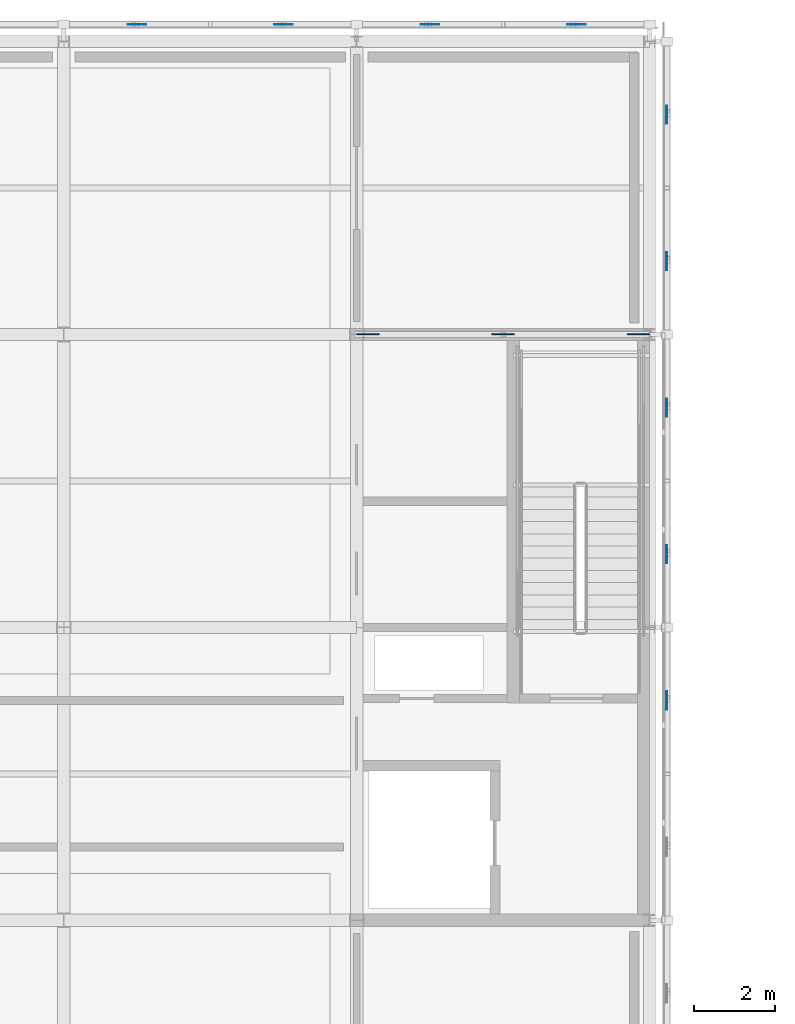
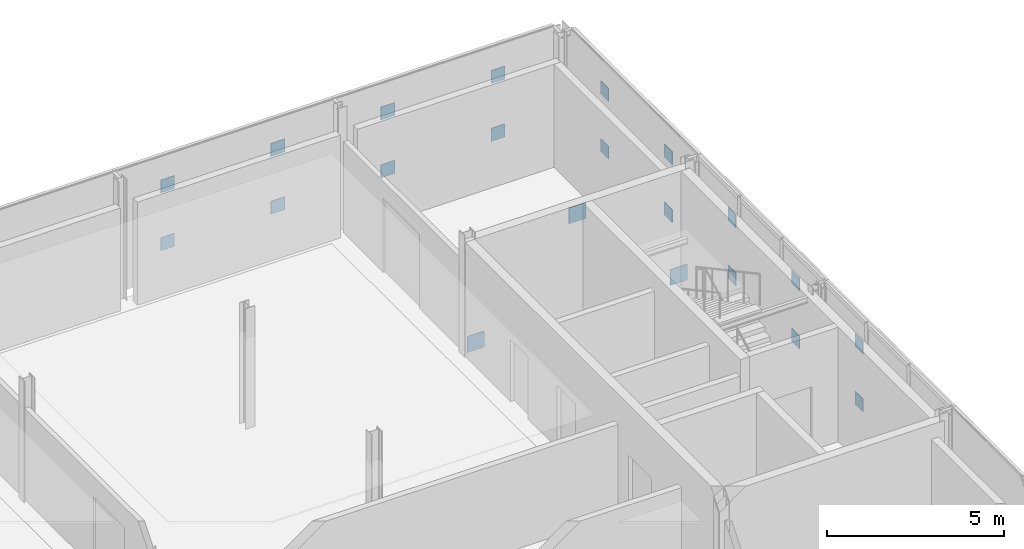
# One storey, part 84 of 103: 21 plates.
"""IFC4 building model written with IfcOpenShell, lengths in metres."""

from ifc_helpers import new_model, si_unit, direction, frame, origin, origin_2d, place, context, subcontext, project, spatial, rectangle, extrude, material, layer, layer_set, type_object, element, save


model = new_model("IFC4")

# Units and contexts
model_context = context("Model", 3, precision=1e-05, world=origin(), true_north=direction((0.0, 1.0)))
body_context = subcontext(model_context, "Body", "Model", "MODEL_VIEW")
ifc_project = project(units=[si_unit("LENGTHUNIT", "METRE"), si_unit("AREAUNIT", "SQUARE_METRE"), si_unit("VOLUMEUNIT", "CUBIC_METRE"), si_unit("PLANEANGLEUNIT", "RADIAN"), si_unit("MASSUNIT", "GRAM", prefix="KILO")], contexts=[model_context])

# Site, building, storey
site_placement = place(None, origin())
site = spatial("IfcSite", under=ifc_project, at=site_placement, CompositionType="ELEMENT")
building_placement = place(site_placement, origin())
building = spatial("IfcBuilding", under=site, at=building_placement, Name="Zlatovets Crest Museum", CompositionType="ELEMENT")
storey_placement = place(building_placement, frame((0.0, 0.0, 12.89990234375)))
storey = spatial("IfcBuildingStorey", under=building, at=storey_placement, Name="L03", CompositionType="ELEMENT", Elevation=12.89990234375)

# Plates
ifc_material = material(Name="Structural steel S355J2", Category="steel")
ifc_layer_1 = layer(ifc_material, 0.02490234375)
ifc_layer_set_1 = layer_set([ifc_layer_1], Name="Structural steel S355J2")
plate_type_1 = type_object("IfcPlateType", Name="Gusset_GP-01", PredefinedType="USERDEFINED", material=ifc_layer_set_1)
for number, where, z_axis, x_axis, name in (
    (1, (101.080078125, 108.0, 0.0048828125), (0.0, 0.0, 1.0), (1.0, 0.0, 0.0), "V1 L03 Brace End Gusset Plate GP-01"),
    (2, (107.719970703125, 108.0, 0.0048828125), (0.0, 0.0, 1.0), (1.0, 0.0, 0.0), "V1 L03 Brace End Gusset Plate GP-01"),
    (3, (104.39990234375, 108.0, 3.294921875), (0.0, 0.0, 1.0), (1.0, 0.0, 0.0), "V1 L03 Brace End Gusset Plate GP-01"),
):
    element("IfcPlate", number, at=place(storey_placement, frame(where, z_axis=z_axis, x_axis=x_axis)), inside=storey, type_object=plate_type_1, Name=name, ObjectType="GUSSET", PredefinedType="USERDEFINED", context=body_context, shape_type="SweptSolid", body=[
        extrude(rectangle(XDim=0.550048828125, YDim=0.02490234375, at=origin_2d()), origin(), (0.0, 0.0, 1.0), 0.550048828125),
    ])
ifc_layer_2 = layer(ifc_material, 0.02001953125)
ifc_layer_set_2 = layer_set([ifc_layer_2], Name="Structural steel S355J2")
plate_type_2 = type_object("IfcPlateType", Name="Gusset_GP-04", PredefinedType="USERDEFINED", material=ifc_layer_set_2)
for number, where, z_axis, x_axis, name in (
    (4, (108.419921875, 99.0, 0.875), (0.0, 0.0, 1.0), (1.0, 0.0, 0.0), "X-Brace Crossing Node Gusset Plate GP-04"),
    (5, (108.419921875, 99.0, 2.875), (0.0, 0.0, 1.0), (1.0, 0.0, 0.0), "X-Brace Crossing Node Gusset Plate GP-04"),
    (6, (108.419921875, 102.60009765625, 0.875), (0.0, 0.0, 1.0), (1.0, 0.0, 0.0), "X-Brace Crossing Node Gusset Plate GP-04"),
    (7, (108.419921875, 106.199951171875, 0.875), (0.0, 0.0, 1.0), (1.0, 0.0, 0.0), "X-Brace Crossing Node Gusset Plate GP-04"),
    (8, (108.419921875, 102.60009765625, 2.875), (0.0, 0.0, 1.0), (1.0, 0.0, 0.0), "X-Brace Crossing Node Gusset Plate GP-04"),
    (9, (108.419921875, 106.199951171875, 2.875), (0.0, 0.0, 1.0), (1.0, 0.0, 0.0), "X-Brace Crossing Node Gusset Plate GP-04"),
    (10, (108.419921875, 109.800048828125, 0.875), (0.0, 0.0, 1.0), (1.0, 0.0, 0.0), "X-Brace Crossing Node Gusset Plate GP-04"),
    (11, (108.419921875, 113.39990234375, 0.875), (0.0, 0.0, 1.0), (1.0, 0.0, 0.0), "X-Brace Crossing Node Gusset Plate GP-04"),
    (12, (108.419921875, 109.800048828125, 2.875), (0.0, 0.0, 1.0), (1.0, 0.0, 0.0), "X-Brace Crossing Node Gusset Plate GP-04"),
    (13, (108.419921875, 113.39990234375, 2.875), (0.0, 0.0, 1.0), (1.0, 0.0, 0.0), "X-Brace Crossing Node Gusset Plate GP-04"),
):
    element("IfcPlate", number, at=place(storey_placement, frame(where, z_axis=z_axis, x_axis=x_axis)), inside=storey, type_object=plate_type_2, Name=name, ObjectType="GUSSET", PredefinedType="USERDEFINED", context=body_context, shape_type="SweptSolid", body=[
        extrude(rectangle(XDim=0.02001953125, YDim=0.449951171875, at=origin_2d()), origin(), (0.0, 0.0, 1.0), 0.449951171875),
    ])
for number, where, z_axis, x_axis, name in (
    (14, (106.199951171875, 115.6201171875, 0.875), (0.0, 0.0, 1.0), (1.0, 0.0, 0.0), "X-Brace Crossing Node Gusset Plate GP-04"),
    (15, (102.60009765625, 115.6201171875, 0.875), (0.0, 0.0, 1.0), (1.0, 0.0, 0.0), "X-Brace Crossing Node Gusset Plate GP-04"),
    (16, (106.199951171875, 115.6201171875, 2.875), (0.0, 0.0, 1.0), (1.0, 0.0, 0.0), "X-Brace Crossing Node Gusset Plate GP-04"),
    (17, (102.60009765625, 115.6201171875, 2.875), (0.0, 0.0, 1.0), (1.0, 0.0, 0.0), "X-Brace Crossing Node Gusset Plate GP-04"),
    (18, (99.0, 115.6201171875, 0.875), (0.0, 0.0, 1.0), (1.0, 0.0, 0.0), "X-Brace Crossing Node Gusset Plate GP-04"),
    (19, (95.39990234375, 115.6201171875, 0.875), (0.0, 0.0, 1.0), (1.0, 0.0, 0.0), "X-Brace Crossing Node Gusset Plate GP-04"),
    (20, (99.0, 115.6201171875, 2.875), (0.0, 0.0, 1.0), (1.0, 0.0, 0.0), "X-Brace Crossing Node Gusset Plate GP-04"),
    (21, (95.39990234375, 115.6201171875, 2.875), (0.0, 0.0, 1.0), (1.0, 0.0, 0.0), "X-Brace Crossing Node Gusset Plate GP-04"),
):
    element("IfcPlate", number, at=place(storey_placement, frame(where, z_axis=z_axis, x_axis=x_axis)), inside=storey, type_object=plate_type_2, Name=name, ObjectType="GUSSET", PredefinedType="USERDEFINED", context=body_context, shape_type="SweptSolid", body=[
        extrude(rectangle(XDim=0.449951171875, YDim=0.02001953125, at=origin_2d()), origin(), (0.0, 0.0, 1.0), 0.449951171875),
    ])

save(model, "model.ifc")
